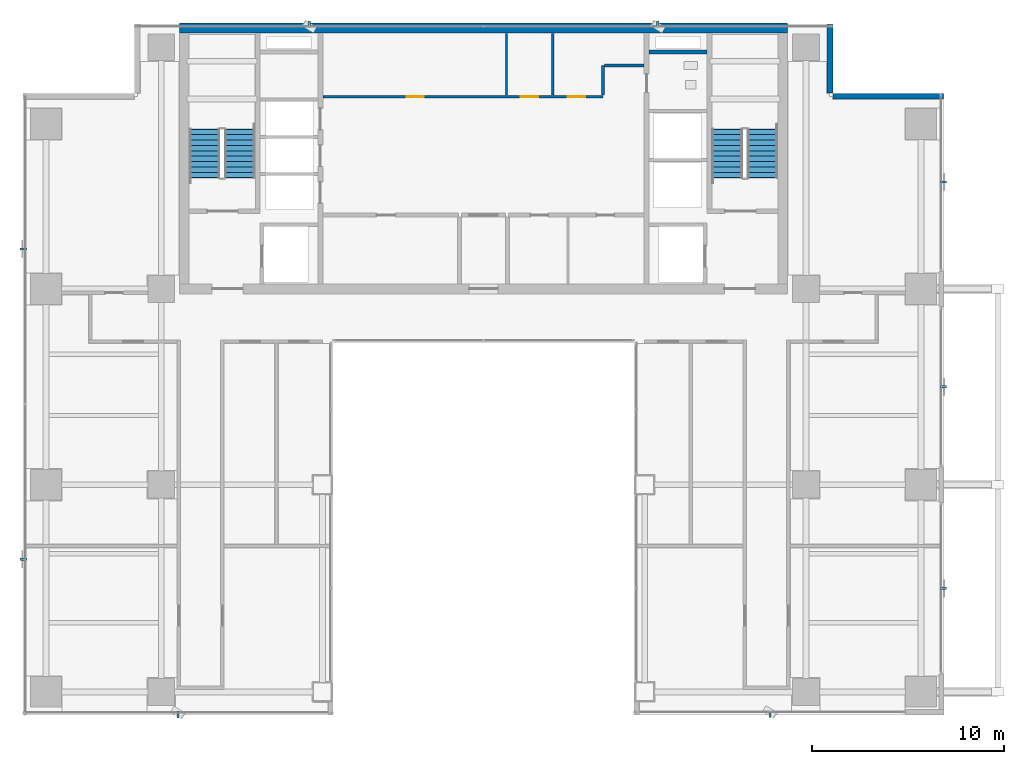
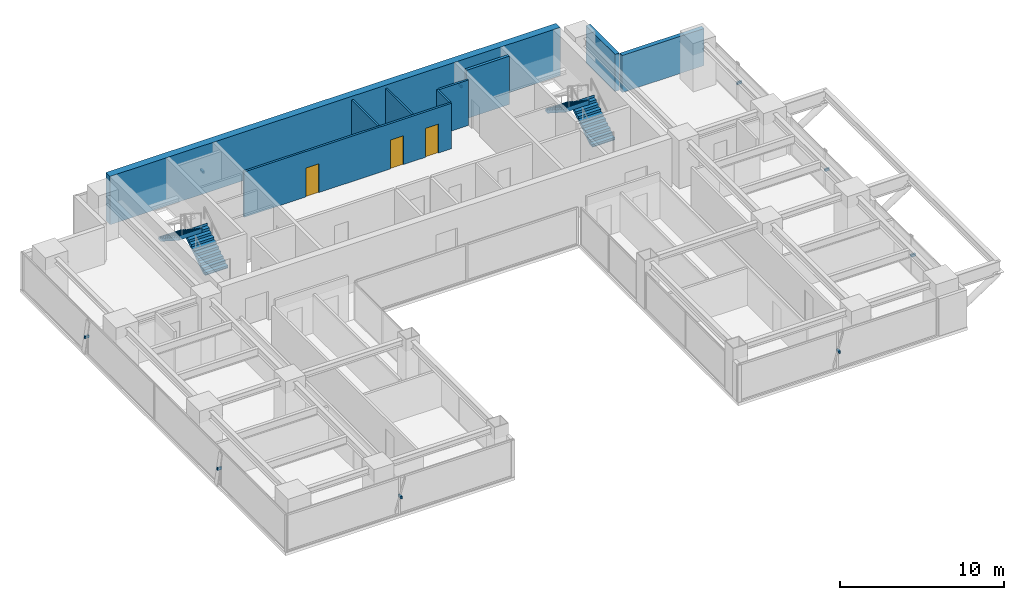
# One storey, part 27 of 31: 9 discrete accessories, 9 walls, 4 stair flights, 3 doors, 3 openings, 2 elements without a shape of their own.
"""IFC4 building model written with IfcOpenShell, lengths in metres."""

from ifc_helpers import new_model, si_unit, direction, frame, frame_2d, origin, origin_2d, place, context, subcontext, project, spatial, polyline, rectangle, outline, extrude, source, transform, mapped, material, layer, layer_set, material_profile, profile_set, type_object, element, fill, aggregate, save


model = new_model("IFC4")

# Units and contexts
model_context = context("Model", 3, precision=1e-05, world=origin(), true_north=direction((0.0, 1.0)))
body_context = subcontext(model_context, "Body", "Model", "MODEL_VIEW")
ifc_project = project(units=[si_unit("LENGTHUNIT", "METRE"), si_unit("AREAUNIT", "SQUARE_METRE"), si_unit("VOLUMEUNIT", "CUBIC_METRE"), si_unit("PLANEANGLEUNIT", "RADIAN"), si_unit("MASSUNIT", "GRAM", prefix="KILO")], contexts=[model_context])

# Site, building, storey
site_placement = place(None, origin())
site = spatial("IfcSite", under=ifc_project, at=site_placement, CompositionType="ELEMENT")
building_placement = place(site_placement, origin())
building = spatial("IfcBuilding", under=site, at=building_placement, Name="Sumidabori Civic Tower", CompositionType="ELEMENT")
storey_placement = place(building_placement, frame((0.0, 0.0, 221.60009765625)))
storey = spatial("IfcBuildingStorey", under=building, at=storey_placement, Name="L57", CompositionType="ELEMENT", Elevation=221.60009765625)

# Walls
ifc_material_1 = material(Name="Concrete C50/60", Category="concrete")
ifc_layer_1 = layer(ifc_material_1, 0.199951171875, Name="Concrete C50/60")
ifc_layer_set_1 = layer_set([ifc_layer_1], Name="Concrete C50/60")
wall_type_1 = type_object("IfcWallType", Name="WL-SHAFT-200", PredefinedType="SHEAR", material=ifc_layer_set_1)
shared_shape_1 = source(origin(), body_context, "Body", "SweptSolid", [
    extrude(rectangle(XDim=3.02001953125, YDim=0.199951171875, at=frame_2d((1.510009765625, 0.0))), origin(), (0.0, 0.0, 1.0), 3.599853515625),
])
wall_1_placement = place(storey_placement, frame((8.625, 22.550048828125, 0.0), z_axis=(0.0, 0.0, 1.0), x_axis=(1.0, 0.0, 0.0)))
element("IfcWall", 1, at=wall_1_placement, inside=storey, type_object=wall_type_1, Name="Core Shear Wall L57 RIS2-S", PredefinedType="SHEAR", context=body_context, shape_type="MappedRepresentation", body=[
    mapped(shared_shape_1, transform((0.0, 0.0, 0.0), x_axis=(1.0, 0.0, 0.0), y_axis=(0.0, 1.0, 0.0), z_axis=(0.0, 0.0, 1.0), scale=1.0)),
])
ifc_layer_2 = layer(ifc_material_1, 0.5, Name="Concrete C50/60")
ifc_layer_set_2 = layer_set([ifc_layer_2], Name="Concrete C50/60")
wall_type_2 = type_object("IfcWallType", Name="WL-CORE-500", PredefinedType="SHEAR", material=ifc_layer_set_2)
shared_shape_2 = source(origin(), body_context, "Body", "SweptSolid", [
    extrude(rectangle(XDim=31.7001953125, YDim=0.5, at=frame_2d((15.85009765625, 0.0))), origin(), (0.0, 0.0, 1.0), 3.599853515625),
])
wall_2_placement = place(storey_placement, frame((-15.85009765625, 23.800048828125, 0.0), z_axis=(0.0, 0.0, 1.0), x_axis=(1.0, 0.0, 0.0)))
element("IfcWall", 2, at=wall_2_placement, inside=storey, type_object=wall_type_2, Name="Core Shear Wall L57 N", PredefinedType="SHEAR", context=body_context, shape_type="MappedRepresentation", body=[
    mapped(shared_shape_2, transform((0.0, 0.0, 0.0), x_axis=(1.0, 0.0, 0.0), y_axis=(0.0, 1.0, 0.0), z_axis=(0.0, 0.0, 1.0), scale=1.0)),
])
ifc_material_2 = material(Name="Precast concrete C40/50", Category="concrete")
ifc_layer_3 = layer(ifc_material_2, 0.300048828125, Name="Precast concrete C40/50")
ifc_layer_set_3 = layer_set([ifc_layer_3], Name="Precast concrete C40/50")
wall_type_3 = type_object("IfcWallType", Name="WL-EXT-POD300", PredefinedType="STANDARD", material=ifc_layer_set_3)
shared_shape_3 = source(origin(), body_context, "Body", "SweptSolid", [
    extrude(rectangle(XDim=5.760009765625, YDim=0.300048828125, at=frame_2d((2.8798828125, 0.0))), origin(), (0.0, 0.0, 1.0), 2.760009765625),
])
wall_3_placement = place(storey_placement, frame((23.97998046875, 20.25, 0.0), z_axis=(0.0, 0.0, 1.0), x_axis=(-1.0, 0.0, 0.0)))
element("IfcWall", 3, at=wall_3_placement, inside=storey, type_object=wall_type_3, Name="Notched Corner Spandrel Band L57-17", PredefinedType="STANDARD", context=body_context, shape_type="MappedRepresentation", body=[
    mapped(shared_shape_3, transform((0.0, 0.0, 0.0), x_axis=(1.0, 0.0, 0.0), y_axis=(0.0, 1.0, 0.0), z_axis=(0.0, 0.0, 1.0), scale=1.0)),
])
shared_shape_4 = source(origin(), body_context, "Body", "SweptSolid", [
    extrude(rectangle(XDim=3.56005859375, YDim=0.300048828125, at=frame_2d((1.780029296875, 0.0))), origin(), (0.0, 0.0, 1.0), 2.760009765625),
])
wall_4_placement = place(storey_placement, frame((18.050048828125, 20.419921875, 0.0), z_axis=(0.0, 0.0, 1.0), x_axis=(0.0, 1.0, 0.0)))
element("IfcWall", 4, at=wall_4_placement, inside=storey, type_object=wall_type_3, Name="Notched Corner Spandrel Band L57-18", PredefinedType="STANDARD", context=body_context, shape_type="MappedRepresentation", body=[
    mapped(shared_shape_4, transform((0.0, 0.0, 0.0), x_axis=(1.0, 0.0, 0.0), y_axis=(0.0, 1.0, 0.0), z_axis=(0.0, 0.0, 1.0), scale=1.0)),
])

# Wall, openings, doors
ifc_material_3 = material(Name="Gypsum Plasterboard Acoustic Partition")
ifc_layer_4 = layer(ifc_material_3, 0.14990234375, Name="Gypsum Plasterboard Acoustic Partition")
ifc_layer_set_4 = layer_set([ifc_layer_4], Name="Gypsum Plasterboard Acoustic Partition")
wall_type_4 = type_object("IfcWallType", Name="WL-PART-150", PredefinedType="PARTITIONING", material=ifc_layer_set_4)
shared_shape_5 = source(origin(), body_context, "Body", "SweptSolid", [
    extrude(rectangle(XDim=14.590087890625, YDim=0.14990234375, at=frame_2d((7.294921875, 0.0))), origin(), (0.0, 0.0, 1.0), 3.3798828125),
])
wall_5_placement = place(storey_placement, frame((-8.3701171875, 20.219970703125, 0.0), z_axis=(0.0, 0.0, 1.0), x_axis=(1.0, 0.0, 0.0)))
wall_5 = element("IfcWall", 5, at=wall_5_placement, inside=storey, type_object=wall_type_4, Name="Interior Partition WL:L57:CBAND-M", PredefinedType="PARTITIONING", context=body_context, shape_type="MappedRepresentation", body=[
    mapped(shared_shape_5, transform((0.0, 0.0, 0.0), x_axis=(1.0, 0.0, 0.0), y_axis=(0.0, 1.0, 0.0), z_axis=(0.0, 0.0, 1.0), scale=1.0)),
])
opening_1_placement = place(wall_5_placement, frame((4.360107421875, 0.0, 0.0)))
opening_1 = element("IfcOpeningElement", 6, at=opening_1_placement, cuts=wall_5, Name="Opening DR-1", PredefinedType="OPENING", context=body_context, shape_type="SweptSolid", body=[
    extrude(rectangle(XDim=0.89990234375, YDim=2.14990234375, at=frame_2d((0.449951171875, 1.074951171875))), frame((0.0, 0.0869140625, 0.0), z_axis=(0.0, -1.0, 0.0), x_axis=(1.0, 0.0, 0.0)), (0.0, 0.0, 1.0), 0.173828125),
])
opening_2_placement = place(wall_5_placement, frame((10.320068359375, 0.0, 0.0)))
opening_2 = element("IfcOpeningElement", 7, at=opening_2_placement, cuts=wall_5, Name="Opening DR-1", PredefinedType="OPENING", context=body_context, shape_type="SweptSolid", body=[
    extrude(rectangle(XDim=0.89990234375, YDim=2.14990234375, at=frame_2d((0.449951171875, 1.074951171875))), frame((0.0, 0.0869140625, 0.0), z_axis=(0.0, -1.0, 0.0), x_axis=(1.0, 0.0, 0.0)), (0.0, 0.0, 1.0), 0.173828125),
])
opening_3_placement = place(wall_5_placement, frame((12.77001953125, 0.0, 0.0)))
opening_3 = element("IfcOpeningElement", 8, at=opening_3_placement, cuts=wall_5, Name="Opening DR-1", PredefinedType="OPENING", context=body_context, shape_type="SweptSolid", body=[
    extrude(rectangle(XDim=0.89990234375, YDim=2.14990234375, at=frame_2d((0.449951171875, 1.074951171875))), frame((0.0, 0.0869140625, 0.0), z_axis=(0.0, -1.0, 0.0), x_axis=(1.0, 0.0, 0.0)), (0.0, 0.0, 1.0), 0.173828125),
])
ifc_material_4 = material(Name="Japanese Hinoki Timber", Category="wood")
door_type = type_object("IfcDoorType", Name="DR-INT-900", OperationType="NOTDEFINED", PredefinedType="DOOR", material=ifc_material_4)
shared_shape_6 = source(origin(), body_context, "Body", "SweptSolid", [
    extrude(rectangle(XDim=0.89990234375, YDim=2.14990234375, at=frame_2d((0.449951171875, 1.074951171875))), frame((0.0, 0.02490234375, 0.0), z_axis=(0.0, -1.0, 0.0), x_axis=(1.0, 0.0, 0.0)), (0.0, 0.0, 1.0), 0.050048828125),
])
door_1_placement = place(opening_1_placement, origin())
door_1 = element("IfcDoor", 9, at=door_1_placement, inside=storey, type_object=door_type, Name="Door DR:L57:CB-1", OperationType="SINGLE_SWING_LEFT", OverallHeight=2.14990234375, OverallWidth=0.89990234375, PredefinedType="DOOR", context=body_context, shape_type="MappedRepresentation", body=[
    mapped(shared_shape_6, transform((0.0, 0.0, 0.0), x_axis=(1.0, 0.0, 0.0), y_axis=(0.0, 1.0, 0.0), z_axis=(0.0, 0.0, 1.0), scale=1.0)),
])
fill(opening_1, door_1)
door_2_placement = place(opening_2_placement, origin())
door_2 = element("IfcDoor", 10, at=door_2_placement, inside=storey, type_object=door_type, Name="Door DR:L57:CB-2", OperationType="SINGLE_SWING_RIGHT", OverallHeight=2.14990234375, OverallWidth=0.89990234375, PredefinedType="DOOR", context=body_context, shape_type="MappedRepresentation", body=[
    mapped(shared_shape_6, transform((0.0, 0.0, 0.0), x_axis=(1.0, 0.0, 0.0), y_axis=(0.0, 1.0, 0.0), z_axis=(0.0, 0.0, 1.0), scale=1.0)),
])
fill(opening_2, door_2)
door_3_placement = place(opening_3_placement, origin())
door_3 = element("IfcDoor", 11, at=door_3_placement, inside=storey, type_object=door_type, Name="Door DR:L57:CB-3", OperationType="SINGLE_SWING_LEFT", OverallHeight=2.14990234375, OverallWidth=0.89990234375, PredefinedType="DOOR", context=body_context, shape_type="MappedRepresentation", body=[
    mapped(shared_shape_6, transform((0.0, 0.0, 0.0), x_axis=(1.0, 0.0, 0.0), y_axis=(0.0, 1.0, 0.0), z_axis=(0.0, 0.0, 1.0), scale=1.0)),
])
fill(opening_3, door_3)

# Walls
shared_shape_7 = source(origin(), body_context, "Body", "SweptSolid", [
    extrude(rectangle(XDim=1.550048828125, YDim=0.14990234375, at=frame_2d((0.77490234375, 0.0))), origin(), (0.0, 0.0, 1.0), 3.3798828125),
])
wall_6_placement = place(storey_placement, frame((6.219970703125, 20.300048828125, 0.0), z_axis=(0.0, 0.0, 1.0), x_axis=(0.0, 1.0, 0.0)))
element("IfcWall", 12, at=wall_6_placement, inside=storey, type_object=wall_type_4, Name="Interior Partition WL:L57:CBAND-ME1", PredefinedType="PARTITIONING", context=body_context, shape_type="MappedRepresentation", body=[
    mapped(shared_shape_7, transform((0.0, 0.0, 0.0), x_axis=(1.0, 0.0, 0.0), y_axis=(0.0, 1.0, 0.0), z_axis=(0.0, 0.0, 1.0), scale=1.0)),
])
shared_shape_8 = source(origin(), body_context, "Body", "SweptSolid", [
    extrude(rectangle(XDim=2.070068359375, YDim=0.14990234375, at=frame_2d((1.03515625, 0.0))), origin(), (0.0, 0.0, 1.0), 3.3798828125),
])
wall_7_placement = place(storey_placement, frame((6.300048828125, 21.85009765625, 0.0), z_axis=(0.0, 0.0, 1.0), x_axis=(1.0, 0.0, 0.0)))
element("IfcWall", 13, at=wall_7_placement, inside=storey, type_object=wall_type_4, Name="Interior Partition WL:L57:CBAND-ME2", PredefinedType="PARTITIONING", context=body_context, shape_type="MappedRepresentation", body=[
    mapped(shared_shape_8, transform((0.0, 0.0, 0.0), x_axis=(1.0, 0.0, 0.0), y_axis=(0.0, 1.0, 0.0), z_axis=(0.0, 0.0, 1.0), scale=1.0)),
])
ifc_layer_5 = layer(ifc_material_3, 0.1201171875, Name="Gypsum Plasterboard Acoustic Partition")
ifc_layer_set_5 = layer_set([ifc_layer_5], Name="Gypsum Plasterboard Acoustic Partition")
wall_type_5 = type_object("IfcWallType", Name="WL-PART-120", PredefinedType="PARTITIONING", material=ifc_layer_set_5)
shared_shape_9 = source(origin(), body_context, "Body", "SweptSolid", [
    extrude(rectangle(XDim=3.18994140625, YDim=0.1201171875, at=frame_2d((1.594970703125, 0.0))), origin(), (0.0, 0.0, 1.0), 3.3798828125),
])
for number, where, z_axis, x_axis, name in (
    (14, (1.199951171875, 20.320068359375, 0.0), (0.0, 0.0, 1.0), (0.0, 1.0, 0.0), "Interior Partition WL:L57:LV8-S1"),
    (15, (3.60009765625, 20.320068359375, 0.0), (0.0, 0.0, 1.0), (0.0, 1.0, 0.0), "Interior Partition WL:L57:LV8-S2"),
):
    element("IfcWall", number, at=place(storey_placement, frame(where, z_axis=z_axis, x_axis=x_axis)), inside=storey, type_object=wall_type_5, Name=name, PredefinedType="PARTITIONING", context=body_context, shape_type="MappedRepresentation", body=[
        mapped(shared_shape_9, transform((0.0, 0.0, 0.0), x_axis=(1.0, 0.0, 0.0), y_axis=(0.0, 1.0, 0.0), z_axis=(0.0, 0.0, 1.0), scale=1.0)),
    ])

# Stair, stair flights
ifc_material_5 = material(Name="Concrete C40/50", Category="concrete")
stair_type = type_object("IfcStairType", Name="ST-CORE-1600", PredefinedType="HALF_TURN_STAIR", material=ifc_material_5)
stair_1_placement = place(storey_placement, origin())
stair_1 = element("IfcStair", 16, at=stair_1_placement, inside=storey, type_object=stair_type, Name="L57 ST-1", PredefinedType="HALF_TURN_STAIR")
stair_flight_type = type_object("IfcStairFlightType", Name="SF-CORE-1600", PredefinedType="STRAIGHT", material=ifc_material_5)
shared_shape_10 = source(origin(), body_context, "Body", "SweptSolid", [
    extrude(outline(polyline([(-0.02490234375, 0.0), (-0.02490234375, 0.0400390625), (0.0, 0.0400390625), (0.0, 0.179931640625), (0.280029296875, 0.179931640625), (0.280029296875, 0.360107421875), (0.56005859375, 0.360107421875), (0.56005859375, 0.5400390625), (0.840087890625, 0.5400390625), (0.840087890625, 0.719970703125), (1.1201171875, 0.719970703125), (1.1201171875, 0.89990234375), (1.39990234375, 0.89990234375), (1.39990234375, 1.080078125), (1.679931640625, 1.080078125), (1.679931640625, 1.260009765625), (1.9599609375, 1.260009765625), (1.9599609375, 1.43994140625), (2.239990234375, 1.43994140625), (2.239990234375, 1.6201171875), (2.52001953125, 1.6201171875), (2.52001953125, 1.800048828125), (2.544921875, 1.800048828125), (2.544921875, 1.650146484375), (2.52001953125, 1.44189453125), (0.277099609375, 0.0), (-0.02490234375, 0.0)])), frame((0.0, 0.800048828125, 0.0), z_axis=(0.0, -1.0, 0.0), x_axis=(1.0, 0.0, 0.0)), (0.0, 0.0, 1.0), 1.60009765625),
])
stair_flight_1_placement = place(storey_placement, frame((-12.699951171875, 16.0, 0.0), z_axis=(0.0, 0.0, 1.0), x_axis=(0.0, 1.0, 0.0)))
stair_flight_1 = element("IfcStairFlight", 17, at=stair_flight_1_placement, type_object=stair_flight_type, Name="ST-1 flight 1", NumberOfRisers=10, NumberOfTreads=9, PredefinedType="STRAIGHT", RiserHeight=0.18, TreadLength=0.28, context=body_context, shape_type="MappedRepresentation", body=[
    mapped(shared_shape_10, transform((0.0, 0.0, 0.0), x_axis=(1.0, 0.0, 0.0), y_axis=(0.0, 1.0, 0.0), z_axis=(0.0, 0.0, 1.0), scale=1.0)),
])
stair_flight_2_placement = place(storey_placement, frame((-14.5400390625, 18.52001953125, 1.7998046875), z_axis=(0.0, 0.0, 1.0), x_axis=(0.0, -1.0, 0.0)))
stair_flight_2 = element("IfcStairFlight", 18, at=stair_flight_2_placement, type_object=stair_flight_type, Name="ST-1 flight 2", NumberOfRisers=10, NumberOfTreads=9, PredefinedType="STRAIGHT", RiserHeight=0.18, TreadLength=0.28, context=body_context, shape_type="MappedRepresentation", body=[
    mapped(shared_shape_10, transform((0.0, 0.0, 0.0), x_axis=(1.0, 0.0, 0.0), y_axis=(0.0, 1.0, 0.0), z_axis=(0.0, 0.0, 1.0), scale=1.0)),
])
aggregate(stair_1, [stair_flight_1, stair_flight_2])

stair_2_placement = place(storey_placement, origin())
stair_2 = element("IfcStair", 19, at=stair_2_placement, inside=storey, type_object=stair_type, Name="L57 ST-2", PredefinedType="HALF_TURN_STAIR")
stair_flight_3_placement = place(storey_placement, frame((14.5400390625, 16.0, 0.0), z_axis=(0.0, 0.0, 1.0), x_axis=(0.0, 1.0, 0.0)))
stair_flight_3 = element("IfcStairFlight", 20, at=stair_flight_3_placement, type_object=stair_flight_type, Name="ST-2 flight 1", NumberOfRisers=10, NumberOfTreads=9, PredefinedType="STRAIGHT", RiserHeight=0.18, TreadLength=0.28, context=body_context, shape_type="MappedRepresentation", body=[
    mapped(shared_shape_10, transform((0.0, 0.0, 0.0), x_axis=(1.0, 0.0, 0.0), y_axis=(0.0, 1.0, 0.0), z_axis=(0.0, 0.0, 1.0), scale=1.0)),
])
stair_flight_4_placement = place(storey_placement, frame((12.699951171875, 18.52001953125, 1.7998046875), z_axis=(0.0, 0.0, 1.0), x_axis=(0.0, -1.0, 0.0)))
stair_flight_4 = element("IfcStairFlight", 21, at=stair_flight_4_placement, type_object=stair_flight_type, Name="ST-2 flight 2", NumberOfRisers=10, NumberOfTreads=9, PredefinedType="STRAIGHT", RiserHeight=0.18, TreadLength=0.28, context=body_context, shape_type="MappedRepresentation", body=[
    mapped(shared_shape_10, transform((0.0, 0.0, 0.0), x_axis=(1.0, 0.0, 0.0), y_axis=(0.0, 1.0, 0.0), z_axis=(0.0, 0.0, 1.0), scale=1.0)),
])
aggregate(stair_2, [stair_flight_3, stair_flight_4])

# Discrete accessories
ifc_material_6 = material(Name="Stainless Steel Hairline Finish", Category="steel")
ifc_material_profile = material_profile(ifc_material_6, rectangle(XDim=0.1201171875, YDim=0.179931640625, at=origin_2d()), Name="STEEL BRACKET 180x120")
ifc_profile_set = profile_set([ifc_material_profile], Name="Stainless Steel Hairline Finish")
discrete_accessory_type = type_object("IfcDiscreteAccessoryType", Name="AC-BRK-180", PredefinedType="BRACKET", material=ifc_profile_set)
shared_shape_11 = source(origin(), body_context, "Body", "SweptSolid", [
    extrude(rectangle(XDim=0.1201171875, YDim=0.179931640625, at=origin_2d()), origin(), (0.0, 0.0, 1.0), 0.329833984375),
])
for number, where, z_axis, x_axis, name in (
    (22, (-15.925048828125, -11.830078125, 1.369873046875), (0.0, -1.0, 0.0), (1.0, 0.0, 0.0), "Bronze Fin Fixing Bracket L57-01"),
    (23, (14.925048828125, -11.800048828125, 1.369873046875), (0.0, -1.0, 0.0), (1.0, 0.0, 0.0), "Bronze Fin Fixing Bracket L57-01"),
    (24, (23.800048828125, -5.39990234375, 1.369873046875), (1.0, 0.0, 0.0), (0.0, 1.0, 0.0), "Bronze Fin Fixing Bracket L57-01"),
    (25, (23.800048828125, 5.10009765625, 1.369873046875), (1.0, 0.0, 0.0), (0.0, 1.0, 0.0), "Bronze Fin Fixing Bracket L57-01"),
    (26, (23.800048828125, 15.77490234375, 1.369873046875), (1.0, 0.0, 0.0), (0.0, 1.0, 0.0), "Bronze Fin Fixing Bracket L57-01"),
    (27, (9.0849609375, 23.830078125, 1.369873046875), (0.0, 1.0, 0.0), (-1.0, 0.0, 0.0), "Bronze Fin Fixing Bracket L57-01"),
    (28, (-9.0849609375, 23.830078125, 1.369873046875), (0.0, 1.0, 0.0), (-1.0, 0.0, 0.0), "Bronze Fin Fixing Bracket L57-03"),
    (29, (-23.830078125, 12.284912109375, 1.369873046875), (-1.0, 0.0, 0.0), (0.0, -1.0, 0.0), "Bronze Fin Fixing Bracket L57-01"),
    (30, (-23.830078125, -3.885009765625, 1.369873046875), (-1.0, 0.0, 0.0), (0.0, -1.0, 0.0), "Bronze Fin Fixing Bracket L57-03"),
):
    element("IfcDiscreteAccessory", number, at=place(storey_placement, frame(where, z_axis=z_axis, x_axis=x_axis)), inside=storey, type_object=discrete_accessory_type, Name=name, PredefinedType="BRACKET", context=body_context, shape_type="MappedRepresentation", body=[
        mapped(shared_shape_11, transform((0.0, 0.0, 0.0), x_axis=(1.0, 0.0, 0.0), y_axis=(0.0, 1.0, 0.0), z_axis=(0.0, 0.0, 1.0), scale=1.0)),
    ])

save(model, "model.ifc")
